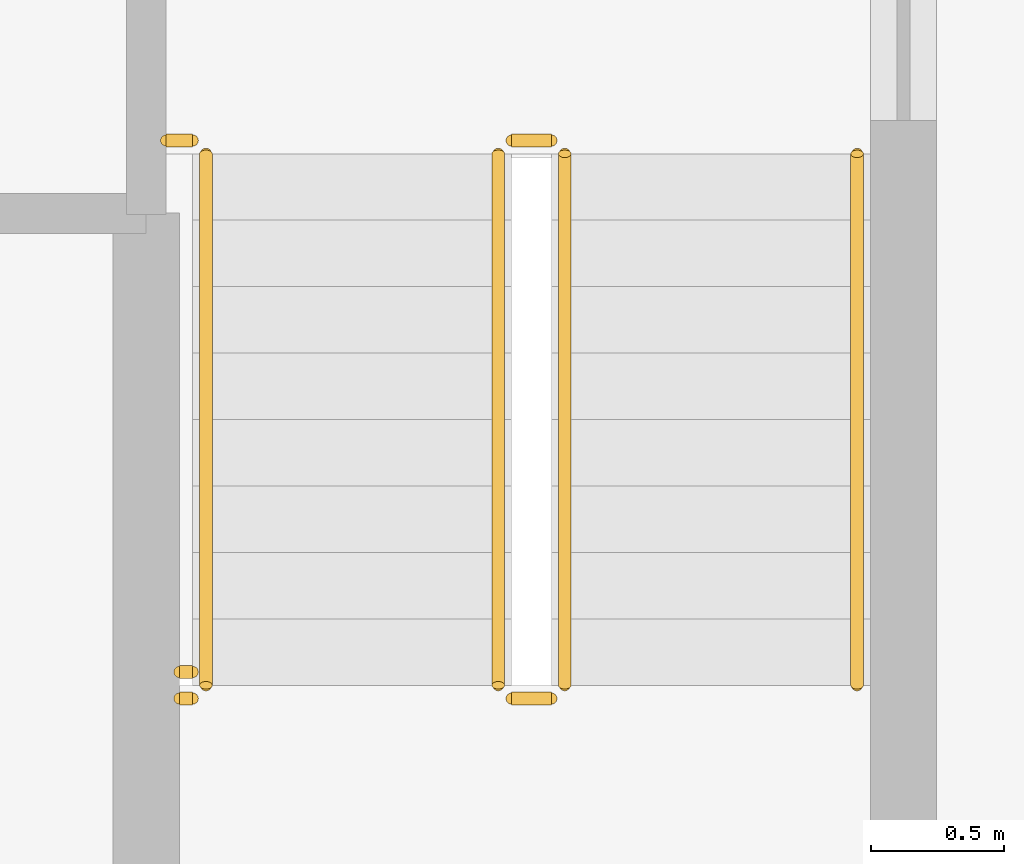
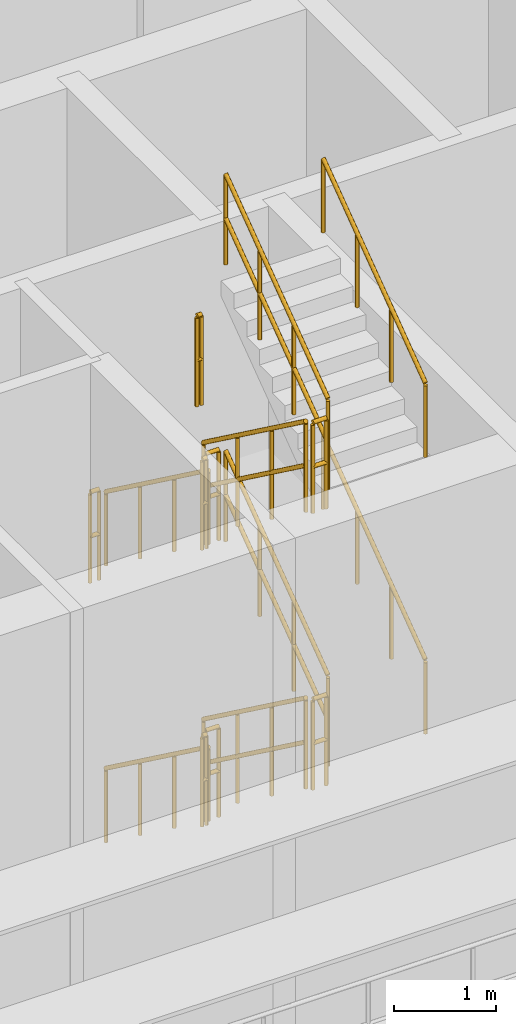
# One storey, part 16 of 19: 16 railings.
"""IFC4 building model written with IfcOpenShell, lengths in metres."""

from ifc_helpers import new_model, si_unit, direction, frame, origin, origin_2d, place, context, subcontext, project, spatial, circle, extrude, material, type_object, element, save


model = new_model("IFC4")

# Units and contexts
model_context = context("Model", 3, precision=1e-05, world=origin(), true_north=direction((0.0, 1.0)))
body_context = subcontext(model_context, "Body", "Model", "MODEL_VIEW")
ifc_project = project(units=[si_unit("LENGTHUNIT", "METRE"), si_unit("AREAUNIT", "SQUARE_METRE"), si_unit("VOLUMEUNIT", "CUBIC_METRE"), si_unit("PLANEANGLEUNIT", "RADIAN"), si_unit("MASSUNIT", "GRAM", prefix="KILO")], contexts=[model_context])

# Site, building, storey
site_placement = place(None, origin())
site = spatial("IfcSite", under=ifc_project, at=site_placement, CompositionType="ELEMENT")
building_placement = place(site_placement, origin())
building = spatial("IfcBuilding", under=site, at=building_placement, Name="Nakaniwa Court", CompositionType="ELEMENT")
storey_placement = place(building_placement, frame((0.0, 0.0, 219.60009765625)))
storey = spatial("IfcBuildingStorey", under=building, at=storey_placement, Name="S4", CompositionType="ELEMENT", Elevation=219.60009765625)

# Railings
ifc_material_1 = material(Name="Black powder coated steel guard", Category="steel")
railing_type_1 = type_object("IfcRailingType", Name="Stair guard 1100", PredefinedType="GUARDRAIL", material=ifc_material_1)
railing_1_placement = place(storey_placement, frame((81.875, 61.824951171875, 0.183349609375)))
element("IfcRailing", 1, at=railing_1_placement, inside=storey, type_object=railing_type_1, Name="S4 ST4 stair guard 1", PredefinedType="GUARDRAIL", context=body_context, shape_type="SweptSolid", body=[
    extrude(circle(Radius=0.02392578125, at=origin_2d()), frame((0.0, 0.0, 1.076171875), z_axis=(0.0, -0.806426902644, 0.591333789573), x_axis=(1.0, 0.0, 0.0)), (0.0, 0.0, 1.0), 2.47998046875),
    extrude(circle(Radius=0.02392578125, at=origin_2d()), frame((0.0, 0.0, 0.550048828125), z_axis=(0.0, -0.806426902644, 0.591333789573), x_axis=(1.0, 0.0, 0.0)), (0.0, 0.0, 1.0), 2.47998046875),
    extrude(circle(Radius=0.02099609375, at=origin_2d()), origin(), (0.0, 0.0, 1.0), 1.052001953125),
    extrude(circle(Radius=0.02099609375, at=origin_2d()), frame((0.0, -0.666748046875, 0.48876953125)), (0.0, 0.0, 1.0), 1.052001953125),
    extrude(circle(Radius=0.02099609375, at=origin_2d()), frame((0.0, -1.333251953125, 0.977783203125)), (0.0, 0.0, 1.0), 1.052001953125),
    extrude(circle(Radius=0.02099609375, at=origin_2d()), frame((0.0, -2.0, 1.466552734375)), (0.0, 0.0, 1.0), 1.052001953125),
])
railing_2_placement = place(storey_placement, frame((81.925048828125, 59.77490234375, 1.64990234375)))
element("IfcRailing", 2, at=railing_2_placement, inside=storey, type_object=railing_type_1, Name="S4 ST4 stair guard 2", PredefinedType="GUARDRAIL", context=body_context, shape_type="SweptSolid", body=[
    extrude(circle(Radius=0.02392578125, at=origin_2d()), frame((0.0, 0.0, 1.076171875), z_axis=(1.0, 0.0, 0.0), x_axis=(0.0, 1.0, 0.0)), (0.0, 0.0, 1.0), 0.14990234375),
    extrude(circle(Radius=0.02392578125, at=origin_2d()), frame((0.0, 0.0, 0.550048828125), z_axis=(1.0, 0.0, 0.0), x_axis=(0.0, 1.0, 0.0)), (0.0, 0.0, 1.0), 0.14990234375),
    extrude(circle(Radius=0.02099609375, at=origin_2d()), origin(), (0.0, 0.0, 1.0), 1.052001953125),
    extrude(circle(Radius=0.02099609375, at=origin_2d()), frame((0.14990234375, 0.0, 0.0)), (0.0, 0.0, 1.0), 1.052001953125),
])
railing_3_placement = place(storey_placement, frame((82.125, 59.824951171875, 1.833251953125)))
element("IfcRailing", 3, at=railing_3_placement, inside=storey, type_object=railing_type_1, Name="S4 ST4 stair guard 3", PredefinedType="GUARDRAIL", context=body_context, shape_type="SweptSolid", body=[
    extrude(circle(Radius=0.02392578125, at=origin_2d()), frame((0.0, 0.0, 1.076171875), z_axis=(0.0, 0.806426902644, 0.591333789573), x_axis=(-1.0, 0.0, 0.0)), (0.0, 0.0, 1.0), 2.47998046875),
    extrude(circle(Radius=0.02392578125, at=origin_2d()), frame((0.0, 0.0, 0.550048828125), z_axis=(0.0, 0.806426902644, 0.591333789573), x_axis=(-1.0, 0.0, 0.0)), (0.0, 0.0, 1.0), 2.47998046875),
    extrude(circle(Radius=0.02099609375, at=origin_2d()), origin(), (0.0, 0.0, 1.0), 1.052001953125),
    extrude(circle(Radius=0.02099609375, at=origin_2d()), frame((0.0, 0.666748046875, 0.48876953125)), (0.0, 0.0, 1.0), 1.052001953125),
    extrude(circle(Radius=0.02099609375, at=origin_2d()), frame((0.0, 1.333251953125, 0.977783203125)), (0.0, 0.0, 1.0), 1.052001953125),
    extrude(circle(Radius=0.02099609375, at=origin_2d()), frame((0.0, 2.0, 1.466552734375)), (0.0, 0.0, 1.0), 1.052001953125),
])
railing_4_placement = place(storey_placement, frame((81.925048828125, 61.875, 3.2998046875)))
element("IfcRailing", 4, at=railing_4_placement, inside=storey, type_object=railing_type_1, Name="S4 ST4 stair guard 4", PredefinedType="GUARDRAIL", context=body_context, shape_type="SweptSolid", body=[
    extrude(circle(Radius=0.02392578125, at=origin_2d()), frame((0.0, 0.0, 1.076171875), z_axis=(1.0, 0.0, 0.0), x_axis=(0.0, 1.0, 0.0)), (0.0, 0.0, 1.0), 0.14990234375),
    extrude(circle(Radius=0.02392578125, at=origin_2d()), frame((0.0, 0.0, 0.550048828125), z_axis=(1.0, 0.0, 0.0), x_axis=(0.0, 1.0, 0.0)), (0.0, 0.0, 1.0), 0.14990234375),
    extrude(circle(Radius=0.02099609375, at=origin_2d()), origin(), (0.0, 0.0, 1.0), 1.052001953125),
    extrude(circle(Radius=0.02099609375, at=origin_2d()), frame((0.14990234375, 0.0, 0.0)), (0.0, 0.0, 1.0), 1.052001953125),
])
railing_5_placement = place(storey_placement, frame((81.875, 61.824951171875, 3.483154296875)))
element("IfcRailing", 5, at=railing_5_placement, inside=storey, type_object=railing_type_1, Name="S4 ST4 stair guard 5", PredefinedType="GUARDRAIL", context=body_context, shape_type="SweptSolid", body=[
    extrude(circle(Radius=0.02392578125, at=origin_2d()), frame((0.0, 0.0, 1.076171875), z_axis=(0.0, -0.806379959628, 0.591397802423), x_axis=(1.0, 0.0, 0.0)), (0.0, 0.0, 1.0), 2.480224609375),
    extrude(circle(Radius=0.02392578125, at=origin_2d()), frame((0.0, 0.0, 0.550048828125), z_axis=(0.0, -0.806379959628, 0.591397802423), x_axis=(1.0, 0.0, 0.0)), (0.0, 0.0, 1.0), 2.480224609375),
    extrude(circle(Radius=0.02099609375, at=origin_2d()), origin(), (0.0, 0.0, 1.0), 1.052001953125),
    extrude(circle(Radius=0.02099609375, at=origin_2d()), frame((0.0, -0.666748046875, 0.489013671875)), (0.0, 0.0, 1.0), 1.052001953125),
    extrude(circle(Radius=0.02099609375, at=origin_2d()), frame((0.0, -1.333251953125, 0.977783203125)), (0.0, 0.0, 1.0), 1.052001953125),
    extrude(circle(Radius=0.02099609375, at=origin_2d()), frame((0.0, -2.0, 1.466796875)), (0.0, 0.0, 1.0), 1.052001953125),
])
railing_6_placement = place(storey_placement, frame((81.925048828125, 59.77490234375, 4.949951171875)))
element("IfcRailing", 6, at=railing_6_placement, inside=storey, type_object=railing_type_1, Name="S4 ST4 stair guard 6", PredefinedType="GUARDRAIL", context=body_context, shape_type="SweptSolid", body=[
    extrude(circle(Radius=0.02392578125, at=origin_2d()), frame((0.0, 0.0, 1.076171875), z_axis=(1.0, 0.0, 0.0), x_axis=(0.0, 1.0, 0.0)), (0.0, 0.0, 1.0), 0.14990234375),
    extrude(circle(Radius=0.02392578125, at=origin_2d()), frame((0.0, 0.0, 0.550048828125), z_axis=(1.0, 0.0, 0.0), x_axis=(0.0, 1.0, 0.0)), (0.0, 0.0, 1.0), 0.14990234375),
    extrude(circle(Radius=0.02099609375, at=origin_2d()), origin(), (0.0, 0.0, 1.0), 1.052001953125),
    extrude(circle(Radius=0.02099609375, at=origin_2d()), frame((0.14990234375, 0.0, 0.0)), (0.0, 0.0, 1.0), 1.052001953125),
])
railing_7_placement = place(storey_placement, frame((82.125, 59.824951171875, 5.13330078125)))
element("IfcRailing", 7, at=railing_7_placement, inside=storey, type_object=railing_type_1, Name="S4 ST4 stair guard 7", PredefinedType="GUARDRAIL", context=body_context, shape_type="SweptSolid", body=[
    extrude(circle(Radius=0.02392578125, at=origin_2d()), frame((0.0, 0.0, 1.076171875), z_axis=(0.0, 0.806426902644, 0.591333789573), x_axis=(-1.0, 0.0, 0.0)), (0.0, 0.0, 1.0), 2.47998046875),
    extrude(circle(Radius=0.02392578125, at=origin_2d()), frame((0.0, 0.0, 0.550048828125), z_axis=(0.0, 0.806426902644, 0.591333789573), x_axis=(-1.0, 0.0, 0.0)), (0.0, 0.0, 1.0), 2.47998046875),
    extrude(circle(Radius=0.02099609375, at=origin_2d()), origin(), (0.0, 0.0, 1.0), 1.052001953125),
    extrude(circle(Radius=0.02099609375, at=origin_2d()), frame((0.0, 0.666748046875, 0.48876953125)), (0.0, 0.0, 1.0), 1.052001953125),
    extrude(circle(Radius=0.02099609375, at=origin_2d()), frame((0.0, 1.333251953125, 0.977783203125)), (0.0, 0.0, 1.0), 1.052001953125),
    extrude(circle(Radius=0.02099609375, at=origin_2d()), frame((0.0, 2.0, 1.466552734375)), (0.0, 0.0, 1.0), 1.052001953125),
])
railing_8_placement = place(storey_placement, frame((81.925048828125, 61.875, 0.0)))
element("IfcRailing", 8, at=railing_8_placement, inside=storey, type_object=railing_type_1, Name="S4 ST4 stair guard 8", PredefinedType="GUARDRAIL", context=body_context, shape_type="SweptSolid", body=[
    extrude(circle(Radius=0.02392578125, at=origin_2d()), frame((0.0, 0.0, 1.076171875), z_axis=(1.0, 0.0, 0.0), x_axis=(0.0, 1.0, 0.0)), (0.0, 0.0, 1.0), 0.14990234375),
    extrude(circle(Radius=0.02392578125, at=origin_2d()), frame((0.0, 0.0, 0.550048828125), z_axis=(1.0, 0.0, 0.0), x_axis=(0.0, 1.0, 0.0)), (0.0, 0.0, 1.0), 0.14990234375),
    extrude(circle(Radius=0.02099609375, at=origin_2d()), origin(), (0.0, 0.0, 1.0), 1.052001953125),
    extrude(circle(Radius=0.02099609375, at=origin_2d()), frame((0.14990234375, 0.0, 0.0)), (0.0, 0.0, 1.0), 1.052001953125),
])
railing_9_placement = place(storey_placement, frame((80.675048828125, 59.77490234375, 1.64990234375)))
element("IfcRailing", 9, at=railing_9_placement, inside=storey, type_object=railing_type_1, Name="S4 ST4 landing side guard 1W", PredefinedType="GUARDRAIL", context=body_context, shape_type="SweptSolid", body=[
    extrude(circle(Radius=0.02392578125, at=origin_2d()), frame((0.0, 0.0, 1.076171875), z_axis=(1.0, 0.0, 0.0), x_axis=(0.0, 1.0, 0.0)), (0.0, 0.0, 1.0), 0.050048828125),
    extrude(circle(Radius=0.02392578125, at=origin_2d()), frame((0.0, 0.0, 0.550048828125), z_axis=(1.0, 0.0, 0.0), x_axis=(0.0, 1.0, 0.0)), (0.0, 0.0, 1.0), 0.050048828125),
    extrude(circle(Radius=0.02099609375, at=origin_2d()), origin(), (0.0, 0.0, 1.0), 1.052001953125),
    extrude(circle(Radius=0.02099609375, at=origin_2d()), frame((0.050048828125, 0.0, 0.0)), (0.0, 0.0, 1.0), 1.052001953125),
])
railing_10_placement = place(storey_placement, frame((80.625, 61.875, 3.2998046875)))
element("IfcRailing", 10, at=railing_10_placement, inside=storey, type_object=railing_type_1, Name="S4 ST4 landing side guard 2W", PredefinedType="GUARDRAIL", context=body_context, shape_type="SweptSolid", body=[
    extrude(circle(Radius=0.02392578125, at=origin_2d()), frame((0.0, 0.0, 1.076171875), z_axis=(1.0, 0.0, 0.0), x_axis=(0.0, 1.0, 0.0)), (0.0, 0.0, 1.0), 0.10009765625),
    extrude(circle(Radius=0.02392578125, at=origin_2d()), frame((0.0, 0.0, 0.550048828125), z_axis=(1.0, 0.0, 0.0), x_axis=(0.0, 1.0, 0.0)), (0.0, 0.0, 1.0), 0.10009765625),
    extrude(circle(Radius=0.02099609375, at=origin_2d()), origin(), (0.0, 0.0, 1.0), 1.052001953125),
    extrude(circle(Radius=0.02099609375, at=origin_2d()), frame((0.10009765625, 0.0, 0.0)), (0.0, 0.0, 1.0), 1.052001953125),
])
for number, where, name in (
    (11, (80.675048828125, 59.77490234375, 4.949951171875), "S4 ST4 landing side guard 3W"),
    (12, (80.675048828125, 59.875, 6.599853515625), "S4 ST4 floor edge guard 3W"),
):
    element("IfcRailing", number, at=place(storey_placement, frame(where)), inside=storey, type_object=railing_type_1, Name=name, PredefinedType="GUARDRAIL", context=body_context, shape_type="SweptSolid", body=[
        extrude(circle(Radius=0.02392578125, at=origin_2d()), frame((0.0, 0.0, 1.076171875), z_axis=(1.0, 0.0, 0.0), x_axis=(0.0, 1.0, 0.0)), (0.0, 0.0, 1.0), 0.050048828125),
        extrude(circle(Radius=0.02392578125, at=origin_2d()), frame((0.0, 0.0, 0.550048828125), z_axis=(1.0, 0.0, 0.0), x_axis=(0.0, 1.0, 0.0)), (0.0, 0.0, 1.0), 0.050048828125),
        extrude(circle(Radius=0.02099609375, at=origin_2d()), origin(), (0.0, 0.0, 1.0), 1.052001953125),
        extrude(circle(Radius=0.02099609375, at=origin_2d()), frame((0.050048828125, 0.0, 0.0)), (0.0, 0.0, 1.0), 1.052001953125),
    ])
ifc_material_2 = material(Name="Black powder coated steel handrail", Category="steel")
railing_type_2 = type_object("IfcRailingType", Name="Stair handrail 900", PredefinedType="HANDRAIL", material=ifc_material_2)
railing_11_placement = place(storey_placement, frame((80.77490234375, 61.824951171875, 0.183349609375)))
element("IfcRailing", 13, at=railing_11_placement, inside=storey, type_object=railing_type_2, Name="S4 ST4 stair handrail 1", PredefinedType="HANDRAIL", context=body_context, shape_type="SweptSolid", body=[
    extrude(circle(Radius=0.02392578125, at=origin_2d()), frame((0.0, 0.0, 0.8759765625), z_axis=(0.0, -0.806426902644, 0.591333789573), x_axis=(1.0, 0.0, 0.0)), (0.0, 0.0, 1.0), 2.47998046875),
    extrude(circle(Radius=0.02099609375, at=origin_2d()), origin(), (0.0, 0.0, 1.0), 0.851806640625),
    extrude(circle(Radius=0.02099609375, at=origin_2d()), frame((0.0, -0.666748046875, 0.48876953125)), (0.0, 0.0, 1.0), 0.851806640625),
    extrude(circle(Radius=0.02099609375, at=origin_2d()), frame((0.0, -1.333251953125, 0.977783203125)), (0.0, 0.0, 1.0), 0.851806640625),
    extrude(circle(Radius=0.02099609375, at=origin_2d()), frame((0.0, -2.0, 1.466552734375)), (0.0, 0.0, 1.0), 0.851806640625),
])
railing_12_placement = place(storey_placement, frame((83.22509765625, 59.824951171875, 1.833251953125)))
element("IfcRailing", 14, at=railing_12_placement, inside=storey, type_object=railing_type_2, Name="S4 ST4 stair handrail 2", PredefinedType="HANDRAIL", context=body_context, shape_type="SweptSolid", body=[
    extrude(circle(Radius=0.02392578125, at=origin_2d()), frame((0.0, 0.0, 0.8759765625), z_axis=(0.0, 0.806426902644, 0.591333789573), x_axis=(-1.0, 0.0, 0.0)), (0.0, 0.0, 1.0), 2.47998046875),
    extrude(circle(Radius=0.02099609375, at=origin_2d()), origin(), (0.0, 0.0, 1.0), 0.851806640625),
    extrude(circle(Radius=0.02099609375, at=origin_2d()), frame((0.0, 0.666748046875, 0.48876953125)), (0.0, 0.0, 1.0), 0.851806640625),
    extrude(circle(Radius=0.02099609375, at=origin_2d()), frame((0.0, 1.333251953125, 0.977783203125)), (0.0, 0.0, 1.0), 0.851806640625),
    extrude(circle(Radius=0.02099609375, at=origin_2d()), frame((0.0, 2.0, 1.466552734375)), (0.0, 0.0, 1.0), 0.851806640625),
])
railing_13_placement = place(storey_placement, frame((80.77490234375, 61.824951171875, 3.483154296875)))
element("IfcRailing", 15, at=railing_13_placement, inside=storey, type_object=railing_type_2, Name="S4 ST4 stair handrail 3", PredefinedType="HANDRAIL", context=body_context, shape_type="SweptSolid", body=[
    extrude(circle(Radius=0.02392578125, at=origin_2d()), frame((0.0, 0.0, 0.8759765625), z_axis=(0.0, -0.806379959628, 0.591397802423), x_axis=(1.0, 0.0, 0.0)), (0.0, 0.0, 1.0), 2.480224609375),
    extrude(circle(Radius=0.02099609375, at=origin_2d()), origin(), (0.0, 0.0, 1.0), 0.851806640625),
    extrude(circle(Radius=0.02099609375, at=origin_2d()), frame((0.0, -0.666748046875, 0.489013671875)), (0.0, 0.0, 1.0), 0.851806640625),
    extrude(circle(Radius=0.02099609375, at=origin_2d()), frame((0.0, -1.333251953125, 0.977783203125)), (0.0, 0.0, 1.0), 0.851806640625),
    extrude(circle(Radius=0.02099609375, at=origin_2d()), frame((0.0, -2.0, 1.466796875)), (0.0, 0.0, 1.0), 0.851806640625),
])
railing_14_placement = place(storey_placement, frame((83.22509765625, 59.824951171875, 5.13330078125)))
element("IfcRailing", 16, at=railing_14_placement, inside=storey, type_object=railing_type_2, Name="S4 ST4 stair handrail 4", PredefinedType="HANDRAIL", context=body_context, shape_type="SweptSolid", body=[
    extrude(circle(Radius=0.02392578125, at=origin_2d()), frame((0.0, 0.0, 0.8759765625), z_axis=(0.0, 0.806426902644, 0.591333789573), x_axis=(-1.0, 0.0, 0.0)), (0.0, 0.0, 1.0), 2.47998046875),
    extrude(circle(Radius=0.02099609375, at=origin_2d()), origin(), (0.0, 0.0, 1.0), 0.851806640625),
    extrude(circle(Radius=0.02099609375, at=origin_2d()), frame((0.0, 0.666748046875, 0.48876953125)), (0.0, 0.0, 1.0), 0.851806640625),
    extrude(circle(Radius=0.02099609375, at=origin_2d()), frame((0.0, 1.333251953125, 0.977783203125)), (0.0, 0.0, 1.0), 0.851806640625),
    extrude(circle(Radius=0.02099609375, at=origin_2d()), frame((0.0, 2.0, 1.466552734375)), (0.0, 0.0, 1.0), 0.851806640625),
])

save(model, "model.ifc")
